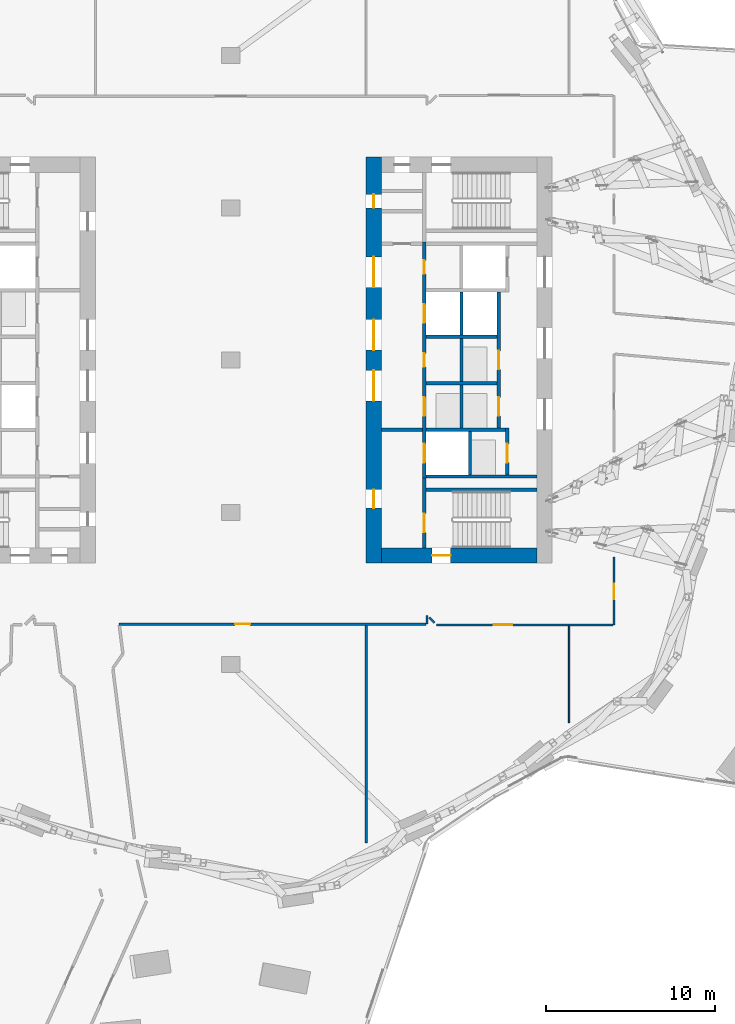
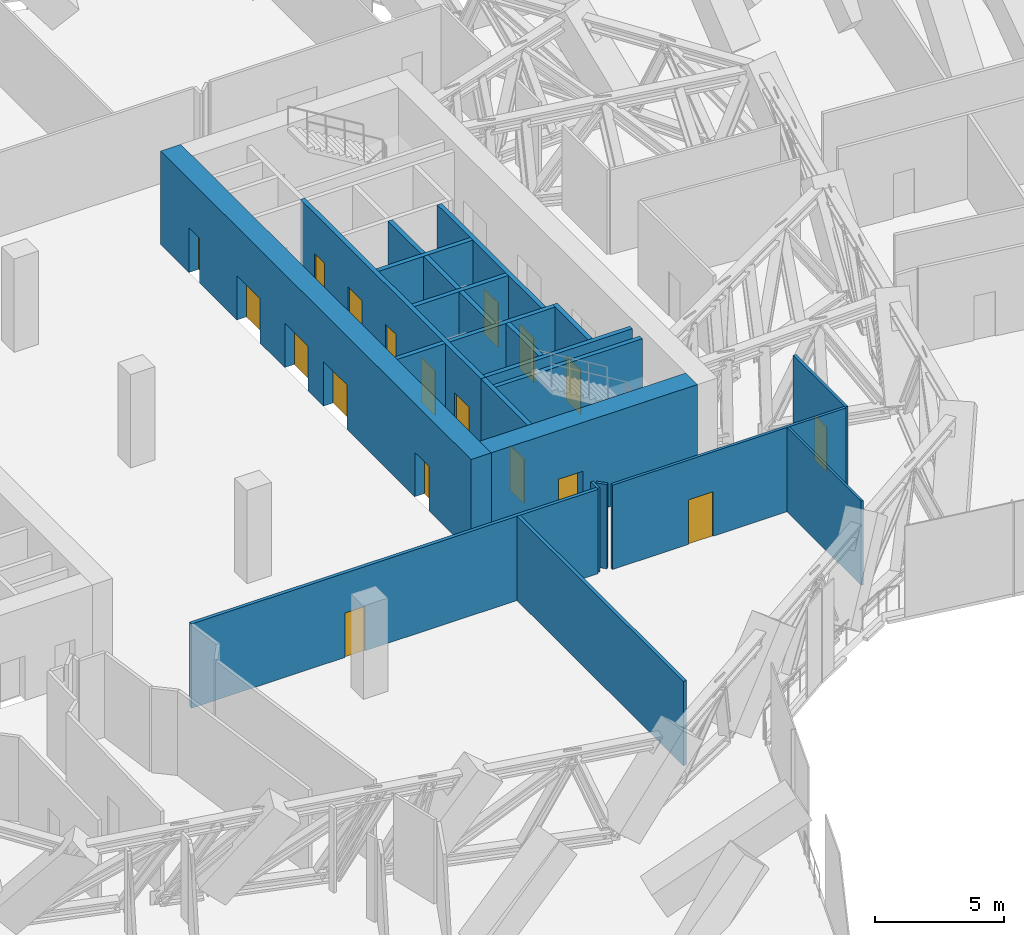
# One storey, part 29 of 39: 23 walls, 18 doors, 18 openings.
"""IFC4 building model written with IfcOpenShell, lengths in metres."""

from ifc_helpers import new_model, si_unit, direction, frame, frame_2d, origin, place, context, subcontext, project, spatial, rectangle, extrude, material, layer, layer_set, type_object, element, fill, save


model = new_model("IFC4")

# Units and contexts
model_context = context("Model", 3, precision=1e-05, world=origin(), true_north=direction((0.0, 1.0)))
body_context = subcontext(model_context, "Body", "Model", "MODEL_VIEW")
ifc_project = project(units=[si_unit("LENGTHUNIT", "METRE"), si_unit("AREAUNIT", "SQUARE_METRE"), si_unit("VOLUMEUNIT", "CUBIC_METRE"), si_unit("PLANEANGLEUNIT", "RADIAN"), si_unit("MASSUNIT", "GRAM", prefix="KILO")], contexts=[model_context])

# Site, building, storey
site_placement = place(None, origin())
site = spatial("IfcSite", under=ifc_project, at=site_placement, CompositionType="ELEMENT")
building_placement = place(site_placement, origin())
building = spatial("IfcBuilding", under=site, at=building_placement, Name="Orlundy Tower", CompositionType="ELEMENT")
storey_placement = place(building_placement, frame((0.0, 0.0, 141.199951171875)))
storey = spatial("IfcBuildingStorey", under=building, at=storey_placement, Name="L36", CompositionType="ELEMENT", Elevation=141.199951171875)

# Wall, opening, door
ifc_material_1 = material(Name="Concrete C80/95", Category="concrete")
ifc_layer_1 = layer(ifc_material_1, 0.89990234375)
ifc_layer_set_1 = layer_set([ifc_layer_1], Name="CORE WALL 900 C80/95")
wall_type_1 = type_object("IfcWallType", Name="CORE WALL 900 C80/95", PredefinedType="SHEAR", material=ifc_layer_set_1)
wall_1_placement = place(storey_placement, frame((8.89990234375, -11.550048828125, 0.0), z_axis=(0.0, 0.0, 1.0), x_axis=(1.0, 0.0, 0.0)))
wall_1 = element("IfcWall", 1, at=wall_1_placement, inside=storey, type_object=wall_type_1, Name="Core wall E-S L36", PredefinedType="SHEAR", context=body_context, shape_type="SweptSolid", body=[
    extrude(rectangle(XDim=9.2001953125, YDim=0.89990234375, at=frame_2d((4.60009765625, 0.0))), origin(), (0.0, 0.0, 1.0), 4.400146484375),
])
opening_1_placement = place(wall_1_placement, frame((3.0, 0.0, 0.0)))
opening_1 = element("IfcOpeningElement", 2, at=opening_1_placement, cuts=wall_1, Name="Opening 27066", PredefinedType="OPENING", context=body_context, shape_type="SweptSolid", body=[
    extrude(rectangle(XDim=1.10009765625, YDim=2.10009765625, at=frame_2d((0.550048828125, 1.050048828125))), frame((0.0, 0.4599609375, 0.0), z_axis=(0.0, -1.0, 0.0), x_axis=(1.0, 0.0, 0.0)), (0.0, 0.0, 1.0), 0.919921875),
])
ifc_material_2 = material(Name="Steel door set", Category="steel")
door_type_1 = type_object("IfcDoorType", Name="Stair Door 1100x2100", OperationType="SINGLE_SWING_LEFT", PredefinedType="DOOR", material=ifc_material_2)
door_1_placement = place(opening_1_placement, origin())
door_1 = element("IfcDoor", 3, at=door_1_placement, inside=storey, type_object=door_type_1, Name="Stair door 27066", OperationType="SINGLE_SWING_LEFT", OverallHeight=2.10009765625, OverallWidth=1.10009765625, PredefinedType="DOOR", context=body_context, shape_type="SweptSolid", body=[
    extrude(rectangle(XDim=1.10009765625, YDim=2.10009765625, at=frame_2d((0.550048828125, 1.050048828125))), frame((0.0, 0.02490234375, 0.0), z_axis=(0.0, -1.0, 0.0), x_axis=(1.0, 0.0, 0.0)), (0.0, 0.0, 1.0), 0.050048828125),
])
fill(opening_1, door_1)

# Wall, openings, doors
wall_2_placement = place(storey_placement, frame((8.449951171875, -12.0, 0.0), z_axis=(0.0, 0.0, 1.0), x_axis=(0.0, 1.0, 0.0)))
wall_2 = element("IfcWall", 4, at=wall_2_placement, inside=storey, type_object=wall_type_1, Name="Core wall E-W L36", PredefinedType="SHEAR", context=body_context, shape_type="SweptSolid", body=[
    extrude(rectangle(XDim=24.0, YDim=0.89990234375, at=frame_2d((12.0, 0.0))), origin(), (0.0, 0.0, 1.0), 4.400146484375),
])
opening_2_placement = place(wall_2_placement, frame((12.60009765625, 0.0, 0.0)))
opening_2 = element("IfcOpeningElement", 5, at=opening_2_placement, cuts=wall_2, Name="Opening 27059", PredefinedType="OPENING", context=body_context, shape_type="SweptSolid", body=[
    extrude(rectangle(XDim=1.800048828125, YDim=2.10009765625, at=frame_2d((0.89990234375, 1.050048828125))), frame((0.0, 0.4599609375, 0.0), z_axis=(0.0, -1.0, 0.0), x_axis=(1.0, 0.0, 0.0)), (0.0, 0.0, 1.0), 0.919921875),
])
opening_3_placement = place(wall_2_placement, frame((16.300048828125, 0.0, 0.0)))
opening_3 = element("IfcOpeningElement", 6, at=opening_3_placement, cuts=wall_2, Name="Opening 27063", PredefinedType="OPENING", context=body_context, shape_type="SweptSolid", body=[
    extrude(rectangle(XDim=1.800048828125, YDim=2.10009765625, at=frame_2d((0.89990234375, 1.050048828125))), frame((0.0, 0.4599609375, 0.0), z_axis=(0.0, -1.0, 0.0), x_axis=(1.0, 0.0, 0.0)), (0.0, 0.0, 1.0), 0.919921875),
])
opening_4_placement = place(wall_2_placement, frame((9.60009765625, 0.0, 0.0)))
opening_4 = element("IfcOpeningElement", 7, at=opening_4_placement, cuts=wall_2, Name="Opening 27064", PredefinedType="OPENING", context=body_context, shape_type="SweptSolid", body=[
    extrude(rectangle(XDim=1.800048828125, YDim=2.10009765625, at=frame_2d((0.89990234375, 1.050048828125))), frame((0.0, 0.4599609375, 0.0), z_axis=(0.0, -1.0, 0.0), x_axis=(1.0, 0.0, 0.0)), (0.0, 0.0, 1.0), 0.919921875),
])
opening_5_placement = place(wall_2_placement, frame((3.25, 0.0, 0.0)))
opening_5 = element("IfcOpeningElement", 8, at=opening_5_placement, cuts=wall_2, Name="Opening 27065", PredefinedType="OPENING", context=body_context, shape_type="SweptSolid", body=[
    extrude(rectangle(XDim=1.10009765625, YDim=2.10009765625, at=frame_2d((0.550048828125, 1.050048828125))), frame((0.0, 0.4599609375, 0.0), z_axis=(0.0, -1.0, 0.0), x_axis=(1.0, 0.0, 0.0)), (0.0, 0.0, 1.0), 0.919921875),
])
opening_6_placement = place(wall_2_placement, frame((21.0, 0.0, 0.0)))
opening_6 = element("IfcOpeningElement", 9, at=opening_6_placement, cuts=wall_2, Name="Opening 27070", PredefinedType="OPENING", context=body_context, shape_type="SweptSolid", body=[
    extrude(rectangle(XDim=0.800048828125, YDim=2.10009765625, at=frame_2d((0.39990234375, 1.050048828125))), frame((0.0, 0.4599609375, 0.0), z_axis=(0.0, -1.0, 0.0), x_axis=(1.0, 0.0, 0.0)), (0.0, 0.0, 1.0), 0.919921875),
])
ifc_material_3 = material(Name="Steel door set", Category="steel")
door_type_2 = type_object("IfcDoorType", Name="Fire-fighting Lobby Door 1100x2100", OperationType="SINGLE_SWING_LEFT", PredefinedType="DOOR", material=ifc_material_3)
door_2_placement = place(opening_5_placement, origin())
door_2 = element("IfcDoor", 10, at=door_2_placement, inside=storey, type_object=door_type_2, Name="Fire-fighting lobby door 27065", OperationType="SINGLE_SWING_LEFT", OverallHeight=2.10009765625, OverallWidth=1.10009765625, PredefinedType="DOOR", context=body_context, shape_type="SweptSolid", body=[
    extrude(rectangle(XDim=1.10009765625, YDim=2.10009765625, at=frame_2d((0.550048828125, 1.050048828125))), frame((0.0, 0.02490234375, 0.0), z_axis=(0.0, -1.0, 0.0), x_axis=(1.0, 0.0, 0.0)), (0.0, 0.0, 1.0), 0.050048828125),
])
fill(opening_5, door_2)
ifc_material_4 = material(Name="Timber door set", Category="wood")
door_type_3 = type_object("IfcDoorType", Name="Lobby Door 1800x2100", OperationType="DOUBLE_DOOR_DOUBLE_SWING", PredefinedType="DOOR", material=ifc_material_4)
door_3_placement = place(opening_2_placement, origin())
door_3 = element("IfcDoor", 11, at=door_3_placement, inside=storey, type_object=door_type_3, Name="Lift lobby door 27059", OperationType="SINGLE_SWING_RIGHT", OverallHeight=2.10009765625, OverallWidth=1.800048828125, PredefinedType="DOOR", context=body_context, shape_type="SweptSolid", body=[
    extrude(rectangle(XDim=1.800048828125, YDim=2.10009765625, at=frame_2d((0.89990234375, 1.050048828125))), frame((0.0, 0.02490234375, 0.0), z_axis=(0.0, -1.0, 0.0), x_axis=(1.0, 0.0, 0.0)), (0.0, 0.0, 1.0), 0.050048828125),
])
fill(opening_2, door_3)
door_4_placement = place(opening_3_placement, origin())
door_4 = element("IfcDoor", 12, at=door_4_placement, inside=storey, type_object=door_type_3, Name="Lift lobby door 27063", OperationType="SINGLE_SWING_RIGHT", OverallHeight=2.10009765625, OverallWidth=1.800048828125, PredefinedType="DOOR", context=body_context, shape_type="SweptSolid", body=[
    extrude(rectangle(XDim=1.800048828125, YDim=2.10009765625, at=frame_2d((0.89990234375, 1.050048828125))), frame((0.0, 0.02490234375, 0.0), z_axis=(0.0, -1.0, 0.0), x_axis=(1.0, 0.0, 0.0)), (0.0, 0.0, 1.0), 0.050048828125),
])
fill(opening_3, door_4)
door_5_placement = place(opening_4_placement, origin())
door_5 = element("IfcDoor", 13, at=door_5_placement, inside=storey, type_object=door_type_3, Name="Lift lobby door 27064", OperationType="SINGLE_SWING_LEFT", OverallHeight=2.10009765625, OverallWidth=1.800048828125, PredefinedType="DOOR", context=body_context, shape_type="SweptSolid", body=[
    extrude(rectangle(XDim=1.800048828125, YDim=2.10009765625, at=frame_2d((0.89990234375, 1.050048828125))), frame((0.0, 0.02490234375, 0.0), z_axis=(0.0, -1.0, 0.0), x_axis=(1.0, 0.0, 0.0)), (0.0, 0.0, 1.0), 0.050048828125),
])
fill(opening_4, door_5)
ifc_material_5 = material(Name="Timber door set", Category="wood")
door_type_4 = type_object("IfcDoorType", Name="Riser Door 800x2100", OperationType="SINGLE_SWING_LEFT", PredefinedType="DOOR", material=ifc_material_5)
door_6_placement = place(opening_6_placement, origin())
door_6 = element("IfcDoor", 14, at=door_6_placement, inside=storey, type_object=door_type_4, Name="Door 27070", OperationType="SINGLE_SWING_RIGHT", OverallHeight=2.10009765625, OverallWidth=0.800048828125, PredefinedType="DOOR", context=body_context, shape_type="SweptSolid", body=[
    extrude(rectangle(XDim=0.800048828125, YDim=2.10009765625, at=frame_2d((0.39990234375, 1.050048828125))), frame((0.0, 0.02490234375, 0.0), z_axis=(0.0, -1.0, 0.0), x_axis=(1.0, 0.0, 0.0)), (0.0, 0.0, 1.0), 0.050048828125),
])
fill(opening_6, door_6)

# Walls
ifc_material_6 = material(Name="Gypsum board partition")
ifc_layer_2 = layer(ifc_material_6, 0.10009765625)
ifc_layer_set_2 = layer_set([ifc_layer_2], Name="Floor partition 100")
wall_type_2 = type_object("IfcWallType", Name="Floor partition 100", PredefinedType="PARTITIONING", material=ifc_layer_set_2)
wall_3_placement = place(storey_placement, frame((20.0, -21.447998046875, 0.0), z_axis=(0.0, 0.0, 1.0), x_axis=(0.0, 1.0, 0.0)))
element("IfcWall", 15, at=wall_3_placement, inside=storey, type_object=wall_type_2, Name="wall-int-L36-081", PredefinedType="PARTITIONING", context=body_context, shape_type="SweptSolid", body=[
    extrude(rectangle(XDim=5.735107421875, YDim=0.10009765625, at=frame_2d((2.86767578125, 0.0))), origin(), (0.0, 0.0, 1.0), 3.97998046875),
])
ifc_material_7 = material(Name="Gypsum board partition, double layer")
ifc_layer_3 = layer(ifc_material_7, 0.125)
ifc_layer_set_3 = layer_set([ifc_layer_3], Name="Floor partition 125")
wall_type_3 = type_object("IfcWallType", Name="Floor partition 125", PredefinedType="PARTITIONING", material=ifc_layer_set_3)
wall_4_placement = place(storey_placement, frame((11.72900390625, -15.20703125, 0.0), z_axis=(0.0, 0.0, 1.0), x_axis=(0.707106781187, -0.707106781187, 0.0)))
element("IfcWall", 16, at=wall_4_placement, inside=storey, type_object=wall_type_3, Name="wall-int-L36-011", PredefinedType="PARTITIONING", context=body_context, shape_type="SweptSolid", body=[
    extrude(rectangle(XDim=0.4482421875, YDim=0.125, at=frame_2d((0.22412109375, 0.0))), origin(), (0.0, 0.0, 1.0), 3.97998046875),
])

# Wall, opening, door
wall_5_placement = place(storey_placement, frame((22.5869140625, -15.65087890625, 0.0), z_axis=(0.0, 0.0, 1.0), x_axis=(-1.0, 0.0, 0.0)))
wall_5 = element("IfcWall", 17, at=wall_5_placement, inside=storey, type_object=wall_type_3, Name="wall-int-L36-038", PredefinedType="PARTITIONING", context=body_context, shape_type="SweptSolid", body=[
    extrude(rectangle(XDim=10.427001953125, YDim=0.125, at=frame_2d((5.21337890625, 0.0))), origin(), (0.0, 0.0, 1.0), 3.97998046875),
])
opening_7_placement = place(wall_5_placement, frame((5.9375, 0.0, 0.0)))
opening_7 = element("IfcOpeningElement", 18, at=opening_7_placement, cuts=wall_5, Name="Opening 27127", PredefinedType="OPENING", context=body_context, shape_type="SweptSolid", body=[
    extrude(rectangle(XDim=1.10009765625, YDim=2.10009765625, at=frame_2d((0.550048828125, 1.050048828125))), frame((0.0, 0.072509765625, 0.0), z_axis=(0.0, -1.0, 0.0), x_axis=(1.0, 0.0, 0.0)), (0.0, 0.0, 1.0), 0.14501953125),
])
ifc_material_8 = material(Name="Timber door leaf", Category="wood")
door_type_5 = type_object("IfcDoorType", Name="Floor door xwide 1100 FD30S", OperationType="NOTDEFINED", PredefinedType="DOOR", material=ifc_material_8)
door_7_placement = place(opening_7_placement, origin())
door_7 = element("IfcDoor", 19, at=door_7_placement, inside=storey, type_object=door_type_5, Name="Door 27127", OperationType="SINGLE_SWING_RIGHT", OverallHeight=2.10009765625, OverallWidth=1.10009765625, PredefinedType="DOOR", context=body_context, shape_type="SweptSolid", body=[
    extrude(rectangle(XDim=1.10009765625, YDim=2.10009765625, at=frame_2d((0.550048828125, 1.050048828125))), frame((0.0, 0.02490234375, 0.0), z_axis=(0.0, -1.0, 0.0), x_axis=(1.0, 0.0, 0.0)), (0.0, 0.0, 1.0), 0.050048828125),
])
fill(opening_7, door_7)

wall_6_placement = place(storey_placement, frame((22.65087890625, -11.6240234375, 0.0), z_axis=(0.0, 0.0, 1.0), x_axis=(0.0, -1.0, 0.0)))
wall_6 = element("IfcWall", 20, at=wall_6_placement, inside=storey, type_object=wall_type_3, Name="wall-int-L36-076", PredefinedType="PARTITIONING", context=body_context, shape_type="SweptSolid", body=[
    extrude(rectangle(XDim=4.02587890625, YDim=0.125, at=frame_2d((2.012939453125, 0.0))), origin(), (0.0, 0.0, 1.0), 3.97998046875),
])
opening_8_placement = place(wall_6_placement, frame((1.60009765625, 0.0, 0.0)))
opening_8 = element("IfcOpeningElement", 21, at=opening_8_placement, cuts=wall_6, Name="Opening 27128", PredefinedType="OPENING", context=body_context, shape_type="SweptSolid", body=[
    extrude(rectangle(XDim=0.89990234375, YDim=2.10009765625, at=frame_2d((0.449951171875, 1.050048828125))), frame((0.0, 0.072509765625, 0.0), z_axis=(0.0, -1.0, 0.0), x_axis=(1.0, 0.0, 0.0)), (0.0, 0.0, 1.0), 0.14501953125),
])
ifc_material_9 = material(Name="Timber door leaf", Category="wood")
door_type_6 = type_object("IfcDoorType", Name="Floor door single 900 FD30S", OperationType="NOTDEFINED", PredefinedType="DOOR", material=ifc_material_9)
door_8_placement = place(opening_8_placement, origin())
door_8 = element("IfcDoor", 22, at=door_8_placement, inside=storey, type_object=door_type_6, Name="Door 27128", OperationType="SINGLE_SWING_RIGHT", OverallHeight=2.10009765625, OverallWidth=0.89990234375, PredefinedType="DOOR", context=body_context, shape_type="SweptSolid", body=[
    extrude(rectangle(XDim=0.89990234375, YDim=2.10009765625, at=frame_2d((0.449951171875, 1.050048828125))), frame((0.0, 0.02490234375, 0.0), z_axis=(0.0, -1.0, 0.0), x_axis=(1.0, 0.0, 0.0)), (0.0, 0.0, 1.0), 0.050048828125),
])
fill(opening_8, door_8)

# Wall
wall_7_placement = place(storey_placement, frame((11.60107421875, -15.60009765625, 0.0), z_axis=(0.0, 0.0, 1.0), x_axis=(0.0, 1.0, 0.0)))
element("IfcWall", 23, at=wall_7_placement, inside=storey, type_object=wall_type_3, Name="wall-int-L36-083", PredefinedType="PARTITIONING", context=body_context, shape_type="SweptSolid", body=[
    extrude(rectangle(XDim=0.508056640625, YDim=0.125, at=frame_2d((0.25390625, 0.0))), origin(), (0.0, 0.0, 1.0), 3.97998046875),
])

# Wall, opening, door
ifc_material_10 = material(Name="Blockwork shaft wall", Category="masonry")
ifc_layer_4 = layer(ifc_material_10, 0.14990234375)
ifc_layer_set_4 = layer_set([ifc_layer_4], Name="Floor shaft wall 150")
wall_type_4 = type_object("IfcWallType", Name="Floor shaft wall 150", PredefinedType="PARTITIONING", material=ifc_layer_set_4)
wall_8_placement = place(storey_placement, frame((11.5390625, -15.60009765625, 0.0), z_axis=(0.0, 0.0, 1.0), x_axis=(-1.0, 0.0, 0.0)))
wall_8 = element("IfcWall", 24, at=wall_8_placement, inside=storey, type_object=wall_type_4, Name="wall-int-L36-040", PredefinedType="PARTITIONING", context=body_context, shape_type="SweptSolid", body=[
    extrude(rectangle(XDim=18.135986328125, YDim=0.14990234375, at=frame_2d((9.06787109375, 0.0))), origin(), (0.0, 0.0, 1.0), 3.97998046875),
])
opening_9_placement = place(wall_8_placement, frame((10.388427734375, 0.0, 0.0)))
opening_9 = element("IfcOpeningElement", 25, at=opening_9_placement, cuts=wall_8, Name="Opening 27126", PredefinedType="OPENING", context=body_context, shape_type="SweptSolid", body=[
    extrude(rectangle(XDim=0.89990234375, YDim=2.10009765625, at=frame_2d((0.449951171875, 1.050048828125))), frame((0.0, 0.0849609375, 0.0), z_axis=(0.0, -1.0, 0.0), x_axis=(1.0, 0.0, 0.0)), (0.0, 0.0, 1.0), 0.169921875),
])
ifc_material_11 = material(Name="Timber door leaf", Category="wood")
door_type_7 = type_object("IfcDoorType", Name="Floor door single 900 FD60", OperationType="NOTDEFINED", PredefinedType="DOOR", material=ifc_material_11)
door_9_placement = place(opening_9_placement, origin())
door_9 = element("IfcDoor", 26, at=door_9_placement, inside=storey, type_object=door_type_7, Name="Door 27126", OperationType="SINGLE_SWING_RIGHT", OverallHeight=2.10009765625, OverallWidth=0.89990234375, PredefinedType="DOOR", context=body_context, shape_type="SweptSolid", body=[
    extrude(rectangle(XDim=0.89990234375, YDim=2.10009765625, at=frame_2d((0.449951171875, 1.050048828125))), frame((0.0, 0.02490234375, 0.0), z_axis=(0.0, -1.0, 0.0), x_axis=(1.0, 0.0, 0.0)), (0.0, 0.0, 1.0), 0.050048828125),
])
fill(opening_9, door_9)

# Wall
wall_9_placement = place(storey_placement, frame((8.0, -28.532958984375, 0.0), z_axis=(0.0, 0.0, 1.0), x_axis=(0.0, 1.0, 0.0)))
element("IfcWall", 27, at=wall_9_placement, inside=storey, type_object=wall_type_4, Name="wall-int-L36-085", PredefinedType="PARTITIONING", context=body_context, shape_type="SweptSolid", body=[
    extrude(rectangle(XDim=12.85791015625, YDim=0.14990234375, at=frame_2d((6.428955078125, 0.0))), origin(), (0.0, 0.0, 1.0), 3.97998046875),
])

# Wall, opening, door
ifc_material_12 = material(Name="Concrete C40/50", Category="concrete")
ifc_layer_5 = layer(ifc_material_12, 0.199951171875)
ifc_layer_set_5 = layer_set([ifc_layer_5], Name="Load-bearing Shaft Wall 200")
wall_type_5 = type_object("IfcWallType", Name="Load-bearing Shaft Wall 200", PredefinedType="SOLIDWALL", material=ifc_layer_set_5)
wall_10_placement = place(storey_placement, frame((11.43994140625, -6.97509765625, 0.0), z_axis=(0.0, 0.0, 1.0), x_axis=(0.0, -1.0, 0.0)))
wall_10 = element("IfcWall", 28, at=wall_10_placement, inside=storey, type_object=wall_type_5, Name="Shaft wall E27-stair-end-n", PredefinedType="SOLIDWALL", context=body_context, shape_type="SweptSolid", body=[
    extrude(rectangle(XDim=4.125, YDim=0.199951171875, at=frame_2d((2.0625, 0.0))), origin(), (0.0, 0.0, 1.0), 3.989990234375),
])
opening_10_placement = place(wall_10_placement, frame((2.10009765625, 0.0, 0.0)))
opening_10 = element("IfcOpeningElement", 29, at=opening_10_placement, cuts=wall_10, Name="Opening 27068", PredefinedType="OPENING", context=body_context, shape_type="SweptSolid", body=[
    extrude(rectangle(XDim=1.10009765625, YDim=2.10009765625, at=frame_2d((0.550048828125, 1.050048828125))), frame((0.0, 0.110107421875, 0.0), z_axis=(0.0, -1.0, 0.0), x_axis=(1.0, 0.0, 0.0)), (0.0, 0.0, 1.0), 0.22021484375),
])
door_10_placement = place(opening_10_placement, origin())
door_10 = element("IfcDoor", 30, at=door_10_placement, inside=storey, type_object=door_type_2, Name="Fire-fighting lobby to stair door 27068", OperationType="SINGLE_SWING_RIGHT", OverallHeight=2.10009765625, OverallWidth=1.10009765625, PredefinedType="DOOR", context=body_context, shape_type="SweptSolid", body=[
    extrude(rectangle(XDim=1.10009765625, YDim=2.10009765625, at=frame_2d((0.550048828125, 1.050048828125))), frame((0.0, 0.02490234375, 0.0), z_axis=(0.0, -1.0, 0.0), x_axis=(1.0, 0.0, 0.0)), (0.0, 0.0, 1.0), 0.050048828125),
])
fill(opening_10, door_10)

# Walls
wall_11_placement = place(storey_placement, frame((11.5400390625, -7.64990234375, 0.0), z_axis=(0.0, 0.0, 1.0), x_axis=(1.0, 0.0, 0.0)))
element("IfcWall", 31, at=wall_11_placement, inside=storey, type_object=wall_type_5, Name="Shaft wall E27-stair-side-n", PredefinedType="SOLIDWALL", context=body_context, shape_type="SweptSolid", body=[
    extrude(rectangle(XDim=6.56005859375, YDim=0.199951171875, at=frame_2d((3.280029296875, 0.0))), origin(), (0.0, 0.0, 1.0), 3.989990234375),
])
ifc_material_13 = material(Name="Gypsum board partition on steel studs", Category="steel")
ifc_layer_6 = layer(ifc_material_13, 0.199951171875)
ifc_layer_set_6 = layer_set([ifc_layer_6], Name="Partition 200")
wall_type_6 = type_object("IfcWallType", Name="Partition 200", PredefinedType="PARTITIONING", material=ifc_layer_set_6)
wall_12_placement = place(storey_placement, frame((8.89990234375, -4.125, 0.0), z_axis=(0.0, 0.0, 1.0), x_axis=(1.0, 0.0, 0.0)))
element("IfcWall", 32, at=wall_12_placement, inside=storey, type_object=wall_type_6, Name="Partition wall E27-lobby-n", PredefinedType="PARTITIONING", context=body_context, shape_type="SweptSolid", body=[
    extrude(rectangle(XDim=2.440185546875, YDim=0.199951171875, at=frame_2d((1.22021484375, 0.0))), origin(), (0.0, 0.0, 1.0), 3.989990234375),
])
ifc_material_14 = material(Name="Fire-rated blockwork shaft wall", Category="masonry")
ifc_layer_7 = layer(ifc_material_14, 0.199951171875)
ifc_layer_set_7 = layer_set([ifc_layer_7], Name="Shaft Wall 200")
wall_type_7 = type_object("IfcWallType", Name="Shaft Wall 200", PredefinedType="SOLIDWALL", material=ifc_layer_set_7)
wall_13_placement = place(storey_placement, frame((11.5400390625, -6.875, 0.0), z_axis=(0.0, 0.0, 1.0), x_axis=(1.0, 0.0, 0.0)))
element("IfcWall", 33, at=wall_13_placement, inside=storey, type_object=wall_type_7, Name="Shaft wall E27-zone-n", PredefinedType="SOLIDWALL", context=body_context, shape_type="SweptSolid", body=[
    extrude(rectangle(XDim=6.56005859375, YDim=0.199951171875, at=frame_2d((3.280029296875, 0.0))), origin(), (0.0, 0.0, 1.0), 3.989990234375),
])
for number, where, z_axis, x_axis, name in (
    (34, (11.5400390625, 1.375, 0.0), (0.0, 0.0, 1.0), (1.0, 0.0, 0.0), "Shaft wall E27-cross-1.375"),
    (35, (11.5400390625, -1.375, 0.0), (0.0, 0.0, 1.0), (1.0, 0.0, 0.0), "Shaft wall E27-cross+1.375"),
):
    element("IfcWall", number, at=place(storey_placement, frame(where, z_axis=z_axis, x_axis=x_axis)), inside=storey, type_object=wall_type_7, Name=name, PredefinedType="SOLIDWALL", context=body_context, shape_type="SweptSolid", body=[
        extrude(rectangle(XDim=4.199951171875, YDim=0.199951171875, at=frame_2d((2.10009765625, 0.0))), origin(), (0.0, 0.0, 1.0), 3.989990234375),
    ])
wall_14_placement = place(storey_placement, frame((11.5400390625, -4.125, 0.0), z_axis=(0.0, 0.0, 1.0), x_axis=(1.0, 0.0, 0.0)))
element("IfcWall", 36, at=wall_14_placement, inside=storey, type_object=wall_type_7, Name="Shaft wall E27-cross+4.125", PredefinedType="SOLIDWALL", context=body_context, shape_type="SweptSolid", body=[
    extrude(rectangle(XDim=4.699951171875, YDim=0.199951171875, at=frame_2d((2.35009765625, 0.0))), origin(), (0.0, 0.0, 1.0), 3.989990234375),
])

# Wall, openings, doors
wall_15_placement = place(storey_placement, frame((11.43994140625, 6.97509765625, 0.0), z_axis=(0.0, 0.0, 1.0), x_axis=(0.0, -1.0, 0.0)))
wall_15 = element("IfcWall", 37, at=wall_15_placement, inside=storey, type_object=wall_type_7, Name="Shaft wall E27-front-h", PredefinedType="SOLIDWALL", context=body_context, shape_type="SweptSolid", body=[
    extrude(rectangle(XDim=13.9501953125, YDim=0.199951171875, at=frame_2d((6.97509765625, 0.0))), origin(), (0.0, 0.0, 1.0), 3.989990234375),
])
opening_11_placement = place(wall_15_placement, frame((3.675048828125, 0.0, 0.0)))
opening_11 = element("IfcOpeningElement", 38, at=opening_11_placement, cuts=wall_15, Name="Opening 27051", PredefinedType="OPENING", context=body_context, shape_type="SweptSolid", body=[
    extrude(rectangle(XDim=1.10009765625, YDim=2.10009765625, at=frame_2d((0.550048828125, 1.050048828125))), frame((0.0, 0.110107421875, 0.0), z_axis=(0.0, -1.0, 0.0), x_axis=(1.0, 0.0, 0.0)), (0.0, 0.0, 1.0), 0.22021484375),
])
opening_12_placement = place(wall_15_placement, frame((9.175048828125, 0.0, 0.0)))
opening_12 = element("IfcOpeningElement", 39, at=opening_12_placement, cuts=wall_15, Name="Opening 27053", PredefinedType="OPENING", context=body_context, shape_type="SweptSolid", body=[
    extrude(rectangle(XDim=1.10009765625, YDim=2.10009765625, at=frame_2d((0.550048828125, 1.050048828125))), frame((0.0, 0.110107421875, 0.0), z_axis=(0.0, -1.0, 0.0), x_axis=(1.0, 0.0, 0.0)), (0.0, 0.0, 1.0), 0.22021484375),
])
opening_13_placement = place(wall_15_placement, frame((11.925048828125, 0.0, 0.0)))
opening_13 = element("IfcOpeningElement", 40, at=opening_13_placement, cuts=wall_15, Name="Opening 27055", PredefinedType="OPENING", context=body_context, shape_type="SweptSolid", body=[
    extrude(rectangle(XDim=1.10009765625, YDim=2.10009765625, at=frame_2d((0.550048828125, 1.050048828125))), frame((0.0, 0.110107421875, 0.0), z_axis=(0.0, -1.0, 0.0), x_axis=(1.0, 0.0, 0.0)), (0.0, 0.0, 1.0), 0.22021484375),
])
opening_14_placement = place(wall_15_placement, frame((1.074951171875, 0.0, 0.0)))
opening_14 = element("IfcOpeningElement", 41, at=opening_14_placement, cuts=wall_15, Name="Opening 27057", PredefinedType="OPENING", context=body_context, shape_type="SweptSolid", body=[
    extrude(rectangle(XDim=0.800048828125, YDim=2.10009765625, at=frame_2d((0.39990234375, 1.050048828125))), frame((0.0, 0.110107421875, 0.0), z_axis=(0.0, -1.0, 0.0), x_axis=(1.0, 0.0, 0.0)), (0.0, 0.0, 1.0), 0.22021484375),
])
opening_15_placement = place(wall_15_placement, frame((6.574951171875, 0.0, 0.0)))
opening_15 = element("IfcOpeningElement", 42, at=opening_15_placement, cuts=wall_15, Name="Opening 27058", PredefinedType="OPENING", context=body_context, shape_type="SweptSolid", body=[
    extrude(rectangle(XDim=0.800048828125, YDim=2.10009765625, at=frame_2d((0.39990234375, 1.050048828125))), frame((0.0, 0.110107421875, 0.0), z_axis=(0.0, -1.0, 0.0), x_axis=(1.0, 0.0, 0.0)), (0.0, 0.0, 1.0), 0.22021484375),
])
ifc_material_15 = material(Name="Steel door set", Category="steel")
door_type_8 = type_object("IfcDoorType", Name="Landing Door 1100x2100", OperationType="DOUBLE_DOOR_SLIDING", PredefinedType="DOOR", material=ifc_material_15)
door_11_placement = place(opening_11_placement, origin())
door_11 = element("IfcDoor", 43, at=door_11_placement, inside=storey, type_object=door_type_8, Name="Lift landing door LS-02 27051", OperationType="DOUBLE_DOOR_SLIDING", OverallHeight=2.10009765625, OverallWidth=1.10009765625, PredefinedType="DOOR", context=body_context, shape_type="SweptSolid", body=[
    extrude(rectangle(XDim=1.10009765625, YDim=2.10009765625, at=frame_2d((0.550048828125, 1.050048828125))), frame((0.0, 0.02490234375, 0.0), z_axis=(0.0, -1.0, 0.0), x_axis=(1.0, 0.0, 0.0)), (0.0, 0.0, 1.0), 0.050048828125),
])
fill(opening_11, door_11)
door_12_placement = place(opening_12_placement, origin())
door_12 = element("IfcDoor", 44, at=door_12_placement, inside=storey, type_object=door_type_8, Name="Lift landing door LP-16 27053", OperationType="DOUBLE_DOOR_SLIDING", OverallHeight=2.10009765625, OverallWidth=1.10009765625, PredefinedType="DOOR", context=body_context, shape_type="SweptSolid", body=[
    extrude(rectangle(XDim=1.10009765625, YDim=2.10009765625, at=frame_2d((0.550048828125, 1.050048828125))), frame((0.0, 0.02490234375, 0.0), z_axis=(0.0, -1.0, 0.0), x_axis=(1.0, 0.0, 0.0)), (0.0, 0.0, 1.0), 0.050048828125),
])
fill(opening_12, door_12)
door_13_placement = place(opening_13_placement, origin())
door_13 = element("IfcDoor", 45, at=door_13_placement, inside=storey, type_object=door_type_8, Name="Lift landing door FL2 27055", OperationType="DOUBLE_DOOR_SLIDING", OverallHeight=2.10009765625, OverallWidth=1.10009765625, PredefinedType="DOOR", context=body_context, shape_type="SweptSolid", body=[
    extrude(rectangle(XDim=1.10009765625, YDim=2.10009765625, at=frame_2d((0.550048828125, 1.050048828125))), frame((0.0, 0.02490234375, 0.0), z_axis=(0.0, -1.0, 0.0), x_axis=(1.0, 0.0, 0.0)), (0.0, 0.0, 1.0), 0.050048828125),
])
fill(opening_13, door_13)
door_14_placement = place(opening_14_placement, origin())
door_14 = element("IfcDoor", 46, at=door_14_placement, inside=storey, type_object=door_type_4, Name="Electrical Riser Room door 27057", OperationType="SINGLE_SWING_LEFT", OverallHeight=2.10009765625, OverallWidth=0.800048828125, PredefinedType="DOOR", context=body_context, shape_type="SweptSolid", body=[
    extrude(rectangle(XDim=0.800048828125, YDim=2.10009765625, at=frame_2d((0.39990234375, 1.050048828125))), frame((0.0, 0.02490234375, 0.0), z_axis=(0.0, -1.0, 0.0), x_axis=(1.0, 0.0, 0.0)), (0.0, 0.0, 1.0), 0.050048828125),
])
fill(opening_14, door_14)
door_15_placement = place(opening_15_placement, origin())
door_15 = element("IfcDoor", 47, at=door_15_placement, inside=storey, type_object=door_type_4, Name="Security Store door 27058", OperationType="SINGLE_SWING_LEFT", OverallHeight=2.10009765625, OverallWidth=0.800048828125, PredefinedType="DOOR", context=body_context, shape_type="SweptSolid", body=[
    extrude(rectangle(XDim=0.800048828125, YDim=2.10009765625, at=frame_2d((0.39990234375, 1.050048828125))), frame((0.0, 0.02490234375, 0.0), z_axis=(0.0, -1.0, 0.0), x_axis=(1.0, 0.0, 0.0)), (0.0, 0.0, 1.0), 0.050048828125),
])
fill(opening_15, door_15)

# Walls
for number, where, z_axis, x_axis, name in (
    (48, (13.639892578125, 4.02490234375, 0.0), (0.0, 0.0, 1.0), (0.0, -1.0, 0.0), "Shaft wall E27-mid-a.1"),
    (49, (13.639892578125, 1.27490234375, 0.0), (0.0, 0.0, 1.0), (0.0, -1.0, 0.0), "Shaft wall E27-mid-a.2"),
    (50, (13.639892578125, -1.47509765625, 0.0), (0.0, 0.0, 1.0), (0.0, -1.0, 0.0), "Shaft wall E27-mid-a.3"),
    (51, (14.139892578125, -4.22509765625, 0.0), (0.0, 0.0, 1.0), (0.0, -1.0, 0.0), "Shaft wall E27-mid-b"),
):
    element("IfcWall", number, at=place(storey_placement, frame(where, z_axis=z_axis, x_axis=x_axis)), inside=storey, type_object=wall_type_7, Name=name, PredefinedType="SOLIDWALL", context=body_context, shape_type="SweptSolid", body=[
        extrude(rectangle(XDim=2.5498046875, YDim=0.199951171875, at=frame_2d((1.27490234375, 0.0))), origin(), (0.0, 0.0, 1.0), 3.989990234375),
    ])

# Wall, openings, doors
wall_16_placement = place(storey_placement, frame((15.840087890625, 4.02490234375, 0.0), z_axis=(0.0, 0.0, 1.0), x_axis=(0.0, -1.0, 0.0)))
wall_16 = element("IfcWall", 52, at=wall_16_placement, inside=storey, type_object=wall_type_7, Name="Shaft wall E27-front-o-b", PredefinedType="SOLIDWALL", context=body_context, shape_type="SweptSolid", body=[
    extrude(rectangle(XDim=8.0498046875, YDim=0.199951171875, at=frame_2d((4.02490234375, 0.0))), origin(), (0.0, 0.0, 1.0), 3.989990234375),
])
opening_16_placement = place(wall_16_placement, frame((3.47509765625, 0.0, 0.0)))
opening_16 = element("IfcOpeningElement", 53, at=opening_16_placement, cuts=wall_16, Name="Opening 27052", PredefinedType="OPENING", context=body_context, shape_type="SweptSolid", body=[
    extrude(rectangle(XDim=1.10009765625, YDim=2.10009765625, at=frame_2d((0.550048828125, 1.050048828125))), frame((0.0, 0.110107421875, 0.0), z_axis=(0.0, -1.0, 0.0), x_axis=(1.0, 0.0, 0.0)), (0.0, 0.0, 1.0), 0.22021484375),
])
opening_17_placement = place(wall_16_placement, frame((6.22509765625, 0.0, 0.0)))
opening_17 = element("IfcOpeningElement", 54, at=opening_17_placement, cuts=wall_16, Name="Opening 27054", PredefinedType="OPENING", context=body_context, shape_type="SweptSolid", body=[
    extrude(rectangle(XDim=1.10009765625, YDim=2.10009765625, at=frame_2d((0.550048828125, 1.050048828125))), frame((0.0, 0.110107421875, 0.0), z_axis=(0.0, -1.0, 0.0), x_axis=(1.0, 0.0, 0.0)), (0.0, 0.0, 1.0), 0.22021484375),
])
door_16_placement = place(opening_16_placement, origin())
door_16 = element("IfcDoor", 55, at=door_16_placement, inside=storey, type_object=door_type_8, Name="Lift landing door LP-15 27052", OperationType="DOUBLE_DOOR_SLIDING", OverallHeight=2.10009765625, OverallWidth=1.10009765625, PredefinedType="DOOR", context=body_context, shape_type="SweptSolid", body=[
    extrude(rectangle(XDim=1.10009765625, YDim=2.10009765625, at=frame_2d((0.550048828125, 1.050048828125))), frame((0.0, 0.02490234375, 0.0), z_axis=(0.0, -1.0, 0.0), x_axis=(1.0, 0.0, 0.0)), (0.0, 0.0, 1.0), 0.050048828125),
])
fill(opening_16, door_16)
door_17_placement = place(opening_17_placement, origin())
door_17 = element("IfcDoor", 56, at=door_17_placement, inside=storey, type_object=door_type_8, Name="Lift landing door LP-17 27054", OperationType="DOUBLE_DOOR_SLIDING", OverallHeight=2.10009765625, OverallWidth=1.10009765625, PredefinedType="DOOR", context=body_context, shape_type="SweptSolid", body=[
    extrude(rectangle(XDim=1.10009765625, YDim=2.10009765625, at=frame_2d((0.550048828125, 1.050048828125))), frame((0.0, 0.02490234375, 0.0), z_axis=(0.0, -1.0, 0.0), x_axis=(1.0, 0.0, 0.0)), (0.0, 0.0, 1.0), 0.050048828125),
])
fill(opening_17, door_17)

# Wall, opening, door
wall_17_placement = place(storey_placement, frame((16.340087890625, -4.02490234375, 0.0), z_axis=(0.0, 0.0, 1.0), x_axis=(0.0, -1.0, 0.0)))
wall_17 = element("IfcWall", 57, at=wall_17_placement, inside=storey, type_object=wall_type_7, Name="Shaft wall E27-front-o-c", PredefinedType="SOLIDWALL", context=body_context, shape_type="SweptSolid", body=[
    extrude(rectangle(XDim=2.75, YDim=0.199951171875, at=frame_2d((1.375, 0.0))), origin(), (0.0, 0.0, 1.0), 3.989990234375),
])
opening_18_placement = place(wall_17_placement, frame((0.925048828125, 0.0, 0.0)))
opening_18 = element("IfcOpeningElement", 58, at=opening_18_placement, cuts=wall_17, Name="Opening 27056", PredefinedType="OPENING", context=body_context, shape_type="SweptSolid", body=[
    extrude(rectangle(XDim=1.10009765625, YDim=2.10009765625, at=frame_2d((0.550048828125, 1.050048828125))), frame((0.0, 0.110107421875, 0.0), z_axis=(0.0, -1.0, 0.0), x_axis=(1.0, 0.0, 0.0)), (0.0, 0.0, 1.0), 0.22021484375),
])
door_18_placement = place(opening_18_placement, origin())
door_18 = element("IfcDoor", 59, at=door_18_placement, inside=storey, type_object=door_type_8, Name="Lift landing door LP-18 27056", OperationType="DOUBLE_DOOR_SLIDING", OverallHeight=2.10009765625, OverallWidth=1.10009765625, PredefinedType="DOOR", context=body_context, shape_type="SweptSolid", body=[
    extrude(rectangle(XDim=1.10009765625, YDim=2.10009765625, at=frame_2d((0.550048828125, 1.050048828125))), frame((0.0, 0.02490234375, 0.0), z_axis=(0.0, -1.0, 0.0), x_axis=(1.0, 0.0, 0.0)), (0.0, 0.0, 1.0), 0.050048828125),
])
fill(opening_18, door_18)

save(model, "model.ifc")
